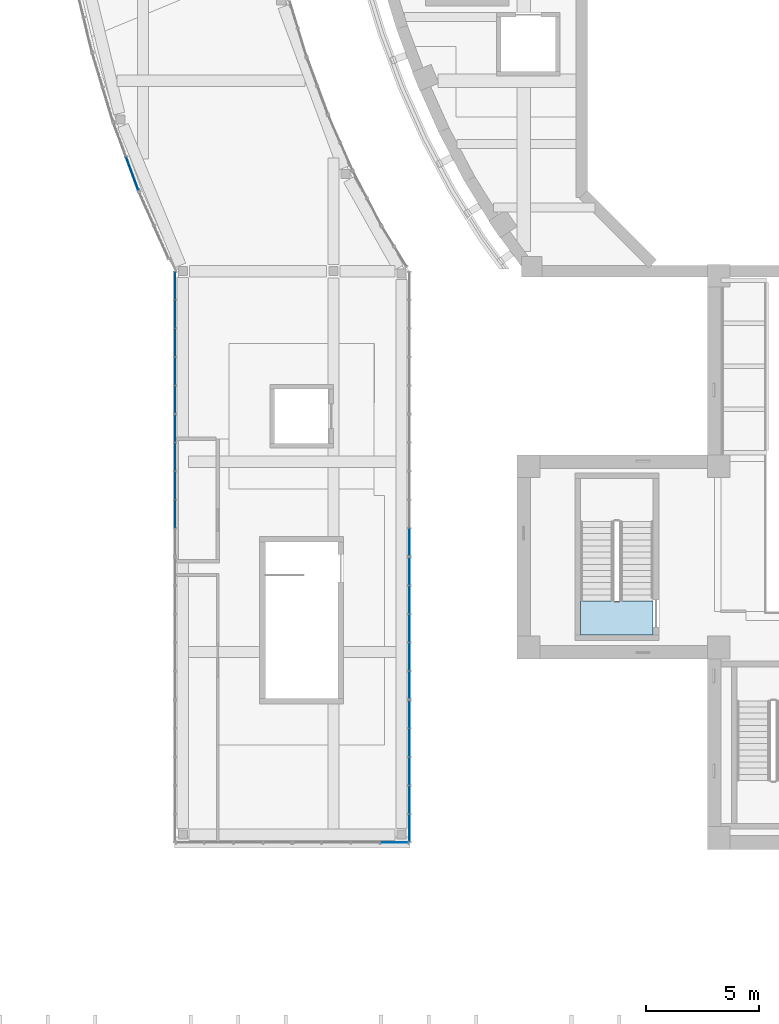
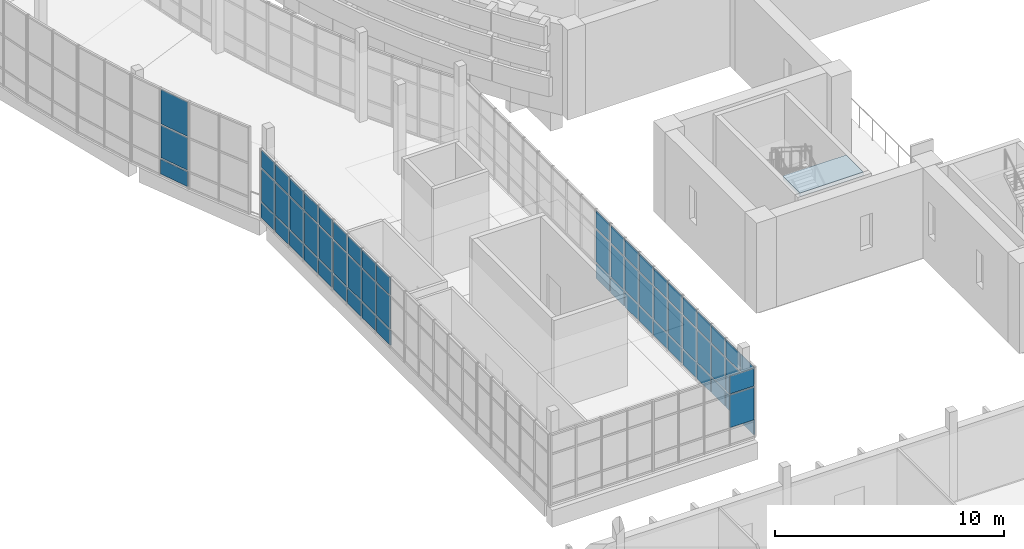
# One storey, part 36 of 103: 65 plates, 1 slab, 8 elements without a shape of their own.
"""IFC4 building model written with IfcOpenShell, lengths in metres."""

from ifc_helpers import new_model, si_unit, direction, frame, origin, origin_2d, place, context, subcontext, project, spatial, polyline, rectangle, outline, extrude, material, layer, layer_set, type_object, element, aggregate, save


model = new_model("IFC4")

# Units and contexts
model_context = context("Model", 3, precision=1e-05, world=origin(), true_north=direction((0.0, 1.0)))
body_context = subcontext(model_context, "Body", "Model", "MODEL_VIEW")
ifc_project = project(units=[si_unit("LENGTHUNIT", "METRE"), si_unit("AREAUNIT", "SQUARE_METRE"), si_unit("VOLUMEUNIT", "CUBIC_METRE"), si_unit("PLANEANGLEUNIT", "RADIAN"), si_unit("MASSUNIT", "GRAM", prefix="KILO")], contexts=[model_context])

# Site, building, storey
site_placement = place(None, origin())
site = spatial("IfcSite", under=ifc_project, at=site_placement, CompositionType="ELEMENT")
building_placement = place(site_placement, origin())
building = spatial("IfcBuilding", under=site, at=building_placement, Name="Larchfold Concert Hall", CompositionType="ELEMENT")
storey_placement = place(building_placement, frame((0.0, 0.0, 9.60009765625)))
storey = spatial("IfcBuildingStorey", under=building, at=storey_placement, Name="L02", CompositionType="ELEMENT", Elevation=9.60009765625)

# Curtain wall, plates
ifc_material_1 = material(Name="Anodised graphite aluminium curtain wall", Category="aluminium")
ifc_layer_1 = layer(ifc_material_1, 0.14990234375)
ifc_layer_set_1 = layer_set([ifc_layer_1], Name="Anodised graphite aluminium curtain wall")
curtain_wall_type = type_object("IfcCurtainWallType", Name="Curtain wall WG", PredefinedType="NOTDEFINED", material=ifc_layer_set_1)
curtain_wall_1_placement = place(storey_placement, origin())
curtain_wall_1 = element("IfcCurtainWall", 1, at=curtain_wall_1_placement, inside=storey, type_object=curtain_wall_type, Name="Curtain wall CW0280", PredefinedType="NOTDEFINED")
ifc_material_2 = material(Name="Insulated glazing unit, glass", Category="glass")
ifc_layer_2 = layer(ifc_material_2, 0.028076171875)
ifc_layer_set_2 = layer_set([ifc_layer_2], Name="Insulated glazing unit, glass")
plate_type_1 = type_object("IfcPlateType", Name="Glass panel 28", PredefinedType="CURTAIN_PANEL", material=ifc_layer_set_2)
plate_1_placement = place(storey_placement, frame((8.5244140625, 63.69775390625, 0.93994140625), z_axis=(0.0, 0.0, 1.0), x_axis=(0.346594033425, -0.938015232283, 0.0)))
plate_1 = element("IfcPlate", 2, at=plate_1_placement, type_object=plate_type_1, Name="CW0280 panel 2.2", PredefinedType="CURTAIN_PANEL", context=body_context, shape_type="SweptSolid", body=[
    extrude(rectangle(XDim=1.532958984375, YDim=0.028076171875, at=origin_2d()), origin(), (0.0, 0.0, 1.0), 1.719970703125),
])
plate_2_placement = place(storey_placement, frame((8.5244140625, 63.69775390625, 2.740234375), z_axis=(0.0, 0.0, 1.0), x_axis=(0.346594033425, -0.938015232283, 0.0)))
plate_2 = element("IfcPlate", 3, at=plate_2_placement, type_object=plate_type_1, Name="CW0280 panel 2.3", PredefinedType="CURTAIN_PANEL", context=body_context, shape_type="SweptSolid", body=[
    extrude(rectangle(XDim=1.532958984375, YDim=0.028076171875, at=origin_2d()), origin(), (0.0, 0.0, 1.0), 1.829833984375),
])

curtain_wall_2_placement = place(storey_placement, origin())
curtain_wall_2 = element("IfcCurtainWall", 4, at=curtain_wall_2_placement, inside=storey, type_object=curtain_wall_type, Name="Curtain wall CW0282", PredefinedType="NOTDEFINED")
plate_3_placement = place(storey_placement, frame((10.408447265625, 58.7548828125, 0.93994140625), z_axis=(0.0, 0.0, 1.0), x_axis=(0.0, -1.0, 0.0)))
plate_3 = element("IfcPlate", 5, at=plate_3_placement, type_object=plate_type_1, Name="CW0282 panel 1.2", PredefinedType="CURTAIN_PANEL", context=body_context, shape_type="SweptSolid", body=[
    extrude(rectangle(XDim=1.169921875, YDim=0.028076171875, at=origin_2d()), origin(), (0.0, 0.0, 1.0), 1.719970703125),
])
plate_4_placement = place(storey_placement, frame((10.408447265625, 58.7548828125, 2.740234375), z_axis=(0.0, 0.0, 1.0), x_axis=(0.0, -1.0, 0.0)))
plate_4 = element("IfcPlate", 6, at=plate_4_placement, type_object=plate_type_1, Name="CW0282 panel 1.3", PredefinedType="CURTAIN_PANEL", context=body_context, shape_type="SweptSolid", body=[
    extrude(rectangle(XDim=1.169921875, YDim=0.028076171875, at=origin_2d()), origin(), (0.0, 0.0, 1.0), 0.929931640625),
])
plate_5_placement = place(storey_placement, frame((10.408447265625, 57.510009765625, 0.93994140625), z_axis=(0.0, 0.0, 1.0), x_axis=(0.0, -1.0, 0.0)))
plate_5 = element("IfcPlate", 7, at=plate_5_placement, type_object=plate_type_1, Name="CW0282 panel 2.2", PredefinedType="CURTAIN_PANEL", context=body_context, shape_type="SweptSolid", body=[
    extrude(rectangle(XDim=1.199951171875, YDim=0.028076171875, at=origin_2d()), origin(), (0.0, 0.0, 1.0), 1.719970703125),
])
plate_6_placement = place(storey_placement, frame((10.408447265625, 57.510009765625, 2.740234375), z_axis=(0.0, 0.0, 1.0), x_axis=(0.0, -1.0, 0.0)))
plate_6 = element("IfcPlate", 8, at=plate_6_placement, type_object=plate_type_1, Name="CW0282 panel 2.3", PredefinedType="CURTAIN_PANEL", context=body_context, shape_type="SweptSolid", body=[
    extrude(rectangle(XDim=1.199951171875, YDim=0.028076171875, at=origin_2d()), origin(), (0.0, 0.0, 1.0), 0.929931640625),
])
plate_7_placement = place(storey_placement, frame((10.408447265625, 56.25, 0.93994140625), z_axis=(0.0, 0.0, 1.0), x_axis=(0.0, -1.0, 0.0)))
plate_7 = element("IfcPlate", 9, at=plate_7_placement, type_object=plate_type_1, Name="CW0282 panel 3.2", PredefinedType="CURTAIN_PANEL", context=body_context, shape_type="SweptSolid", body=[
    extrude(rectangle(XDim=1.199951171875, YDim=0.028076171875, at=origin_2d()), origin(), (0.0, 0.0, 1.0), 1.719970703125),
])
plate_8_placement = place(storey_placement, frame((10.408447265625, 56.25, 2.740234375), z_axis=(0.0, 0.0, 1.0), x_axis=(0.0, -1.0, 0.0)))
plate_8 = element("IfcPlate", 10, at=plate_8_placement, type_object=plate_type_1, Name="CW0282 panel 3.3", PredefinedType="CURTAIN_PANEL", context=body_context, shape_type="SweptSolid", body=[
    extrude(rectangle(XDim=1.199951171875, YDim=0.028076171875, at=origin_2d()), origin(), (0.0, 0.0, 1.0), 0.929931640625),
])
plate_9_placement = place(storey_placement, frame((10.408447265625, 54.98974609375, 0.93994140625), z_axis=(0.0, 0.0, 1.0), x_axis=(0.0, -1.0, 0.0)))
plate_9 = element("IfcPlate", 11, at=plate_9_placement, type_object=plate_type_1, Name="CW0282 panel 4.2", PredefinedType="CURTAIN_PANEL", context=body_context, shape_type="SweptSolid", body=[
    extrude(rectangle(XDim=1.199951171875, YDim=0.028076171875, at=origin_2d()), origin(), (0.0, 0.0, 1.0), 1.719970703125),
])
plate_10_placement = place(storey_placement, frame((10.408447265625, 54.98974609375, 2.740234375), z_axis=(0.0, 0.0, 1.0), x_axis=(0.0, -1.0, 0.0)))
plate_10 = element("IfcPlate", 12, at=plate_10_placement, type_object=plate_type_1, Name="CW0282 panel 4.3", PredefinedType="CURTAIN_PANEL", context=body_context, shape_type="SweptSolid", body=[
    extrude(rectangle(XDim=1.199951171875, YDim=0.028076171875, at=origin_2d()), origin(), (0.0, 0.0, 1.0), 0.929931640625),
])
plate_11_placement = place(storey_placement, frame((10.408447265625, 53.744873046875, 0.93994140625), z_axis=(0.0, 0.0, 1.0), x_axis=(0.0, -1.0, 0.0)))
plate_11 = element("IfcPlate", 13, at=plate_11_placement, type_object=plate_type_1, Name="CW0282 panel 5.2", PredefinedType="CURTAIN_PANEL", context=body_context, shape_type="SweptSolid", body=[
    extrude(rectangle(XDim=1.169921875, YDim=0.028076171875, at=origin_2d()), origin(), (0.0, 0.0, 1.0), 1.719970703125),
])
plate_12_placement = place(storey_placement, frame((10.408447265625, 53.744873046875, 2.740234375), z_axis=(0.0, 0.0, 1.0), x_axis=(0.0, -1.0, 0.0)))
plate_12 = element("IfcPlate", 14, at=plate_12_placement, type_object=plate_type_1, Name="CW0282 panel 5.3", PredefinedType="CURTAIN_PANEL", context=body_context, shape_type="SweptSolid", body=[
    extrude(rectangle(XDim=1.169921875, YDim=0.028076171875, at=origin_2d()), origin(), (0.0, 0.0, 1.0), 0.929931640625),
])

curtain_wall_3_placement = place(storey_placement, origin())
curtain_wall_3 = element("IfcCurtainWall", 15, at=curtain_wall_3_placement, inside=storey, type_object=curtain_wall_type, Name="Curtain wall CW0283", PredefinedType="NOTDEFINED")
plate_13_placement = place(storey_placement, frame((10.408447265625, 52.454833984375, 0.93994140625), z_axis=(0.0, 0.0, 1.0), x_axis=(0.0, -1.0, 0.0)))
plate_13 = element("IfcPlate", 16, at=plate_13_placement, type_object=plate_type_1, Name="CW0283 panel 1.2", PredefinedType="CURTAIN_PANEL", context=body_context, shape_type="SweptSolid", body=[
    extrude(rectangle(XDim=1.169921875, YDim=0.028076171875, at=origin_2d()), origin(), (0.0, 0.0, 1.0), 1.719970703125),
])
plate_14_placement = place(storey_placement, frame((10.408447265625, 52.454833984375, 2.740234375), z_axis=(0.0, 0.0, 1.0), x_axis=(0.0, -1.0, 0.0)))
plate_14 = element("IfcPlate", 17, at=plate_14_placement, type_object=plate_type_1, Name="CW0283 panel 1.3", PredefinedType="CURTAIN_PANEL", context=body_context, shape_type="SweptSolid", body=[
    extrude(rectangle(XDim=1.169921875, YDim=0.028076171875, at=origin_2d()), origin(), (0.0, 0.0, 1.0), 0.929931640625),
])
plate_15_placement = place(storey_placement, frame((10.408447265625, 51.2099609375, 0.93994140625), z_axis=(0.0, 0.0, 1.0), x_axis=(0.0, -1.0, 0.0)))
plate_15 = element("IfcPlate", 18, at=plate_15_placement, type_object=plate_type_1, Name="CW0283 panel 2.2", PredefinedType="CURTAIN_PANEL", context=body_context, shape_type="SweptSolid", body=[
    extrude(rectangle(XDim=1.199951171875, YDim=0.028076171875, at=origin_2d()), origin(), (0.0, 0.0, 1.0), 1.719970703125),
])
plate_16_placement = place(storey_placement, frame((10.408447265625, 51.2099609375, 2.740234375), z_axis=(0.0, 0.0, 1.0), x_axis=(0.0, -1.0, 0.0)))
plate_16 = element("IfcPlate", 19, at=plate_16_placement, type_object=plate_type_1, Name="CW0283 panel 2.3", PredefinedType="CURTAIN_PANEL", context=body_context, shape_type="SweptSolid", body=[
    extrude(rectangle(XDim=1.199951171875, YDim=0.028076171875, at=origin_2d()), origin(), (0.0, 0.0, 1.0), 0.929931640625),
])
plate_17_placement = place(storey_placement, frame((10.408447265625, 49.949951171875, 0.93994140625), z_axis=(0.0, 0.0, 1.0), x_axis=(0.0, -1.0, 0.0)))
plate_17 = element("IfcPlate", 20, at=plate_17_placement, type_object=plate_type_1, Name="CW0283 panel 3.2", PredefinedType="CURTAIN_PANEL", context=body_context, shape_type="SweptSolid", body=[
    extrude(rectangle(XDim=1.199951171875, YDim=0.028076171875, at=origin_2d()), origin(), (0.0, 0.0, 1.0), 1.719970703125),
])
plate_18_placement = place(storey_placement, frame((10.408447265625, 49.949951171875, 2.740234375), z_axis=(0.0, 0.0, 1.0), x_axis=(0.0, -1.0, 0.0)))
plate_18 = element("IfcPlate", 21, at=plate_18_placement, type_object=plate_type_1, Name="CW0283 panel 3.3", PredefinedType="CURTAIN_PANEL", context=body_context, shape_type="SweptSolid", body=[
    extrude(rectangle(XDim=1.199951171875, YDim=0.028076171875, at=origin_2d()), origin(), (0.0, 0.0, 1.0), 0.929931640625),
])
plate_19_placement = place(storey_placement, frame((10.408447265625, 48.68994140625, 0.93994140625), z_axis=(0.0, 0.0, 1.0), x_axis=(0.0, -1.0, 0.0)))
plate_19 = element("IfcPlate", 22, at=plate_19_placement, type_object=plate_type_1, Name="CW0283 panel 4.2", PredefinedType="CURTAIN_PANEL", context=body_context, shape_type="SweptSolid", body=[
    extrude(rectangle(XDim=1.199951171875, YDim=0.028076171875, at=origin_2d()), origin(), (0.0, 0.0, 1.0), 1.719970703125),
])
plate_20_placement = place(storey_placement, frame((10.408447265625, 48.68994140625, 2.740234375), z_axis=(0.0, 0.0, 1.0), x_axis=(0.0, -1.0, 0.0)))
plate_20 = element("IfcPlate", 23, at=plate_20_placement, type_object=plate_type_1, Name="CW0283 panel 4.3", PredefinedType="CURTAIN_PANEL", context=body_context, shape_type="SweptSolid", body=[
    extrude(rectangle(XDim=1.199951171875, YDim=0.028076171875, at=origin_2d()), origin(), (0.0, 0.0, 1.0), 0.929931640625),
])

curtain_wall_4_placement = place(storey_placement, origin())
curtain_wall_4 = element("IfcCurtainWall", 24, at=curtain_wall_4_placement, inside=storey, type_object=curtain_wall_type, Name="Curtain wall CW0287", PredefinedType="NOTDEFINED")
plate_21_placement = place(storey_placement, frame((20.08740234375, 34.199951171875, 0.93994140625), z_axis=(0.0, 0.0, 1.0), x_axis=(1.0, 0.0, 0.0)))
plate_21 = element("IfcPlate", 25, at=plate_21_placement, type_object=plate_type_1, Name="CW0287 panel 4.2", PredefinedType="CURTAIN_PANEL", context=body_context, shape_type="SweptSolid", body=[
    extrude(rectangle(XDim=1.20263671875, YDim=0.028076171875, at=origin_2d()), origin(), (0.0, 0.0, 1.0), 1.719970703125),
])
plate_22_placement = place(storey_placement, frame((20.08740234375, 34.199951171875, 2.740234375), z_axis=(0.0, 0.0, 1.0), x_axis=(1.0, 0.0, 0.0)))
plate_22 = element("IfcPlate", 26, at=plate_22_placement, type_object=plate_type_1, Name="CW0287 panel 4.3", PredefinedType="CURTAIN_PANEL", context=body_context, shape_type="SweptSolid", body=[
    extrude(rectangle(XDim=1.20263671875, YDim=0.028076171875, at=origin_2d()), origin(), (0.0, 0.0, 1.0), 0.929931640625),
])
aggregate(curtain_wall_4, [plate_21, plate_22])

curtain_wall_5_placement = place(storey_placement, origin())
curtain_wall_5 = element("IfcCurtainWall", 27, at=curtain_wall_5_placement, inside=storey, type_object=curtain_wall_type, Name="Curtain wall CW0288", PredefinedType="NOTDEFINED")
plate_23_placement = place(storey_placement, frame((20.748779296875, 34.844970703125, 0.93994140625), z_axis=(0.0, 0.0, 1.0), x_axis=(0.0, 1.0, 0.0)))
plate_23 = element("IfcPlate", 28, at=plate_23_placement, type_object=plate_type_1, Name="CW0288 panel 1.2", PredefinedType="CURTAIN_PANEL", context=body_context, shape_type="SweptSolid", body=[
    extrude(rectangle(XDim=1.169921875, YDim=0.028076171875, at=origin_2d()), origin(), (0.0, 0.0, 1.0), 1.719970703125),
])
plate_24_placement = place(storey_placement, frame((20.748779296875, 34.844970703125, 2.740234375), z_axis=(0.0, 0.0, 1.0), x_axis=(0.0, 1.0, 0.0)))
plate_24 = element("IfcPlate", 29, at=plate_24_placement, type_object=plate_type_1, Name="CW0288 panel 1.3", PredefinedType="CURTAIN_PANEL", context=body_context, shape_type="SweptSolid", body=[
    extrude(rectangle(XDim=1.169921875, YDim=0.028076171875, at=origin_2d()), origin(), (0.0, 0.0, 1.0), 0.929931640625),
])
plate_25_placement = place(storey_placement, frame((20.748779296875, 36.08984375, 0.93994140625), z_axis=(0.0, 0.0, 1.0), x_axis=(0.0, 1.0, 0.0)))
plate_25 = element("IfcPlate", 30, at=plate_25_placement, type_object=plate_type_1, Name="CW0288 panel 2.2", PredefinedType="CURTAIN_PANEL", context=body_context, shape_type="SweptSolid", body=[
    extrude(rectangle(XDim=1.199951171875, YDim=0.028076171875, at=origin_2d()), origin(), (0.0, 0.0, 1.0), 1.719970703125),
])
plate_26_placement = place(storey_placement, frame((20.748779296875, 36.08984375, 2.740234375), z_axis=(0.0, 0.0, 1.0), x_axis=(0.0, 1.0, 0.0)))
plate_26 = element("IfcPlate", 31, at=plate_26_placement, type_object=plate_type_1, Name="CW0288 panel 2.3", PredefinedType="CURTAIN_PANEL", context=body_context, shape_type="SweptSolid", body=[
    extrude(rectangle(XDim=1.199951171875, YDim=0.028076171875, at=origin_2d()), origin(), (0.0, 0.0, 1.0), 0.929931640625),
])
plate_27_placement = place(storey_placement, frame((20.748779296875, 37.35009765625, 0.93994140625), z_axis=(0.0, 0.0, 1.0), x_axis=(0.0, 1.0, 0.0)))
plate_27 = element("IfcPlate", 32, at=plate_27_placement, type_object=plate_type_1, Name="CW0288 panel 3.2", PredefinedType="CURTAIN_PANEL", context=body_context, shape_type="SweptSolid", body=[
    extrude(rectangle(XDim=1.199951171875, YDim=0.028076171875, at=origin_2d()), origin(), (0.0, 0.0, 1.0), 1.719970703125),
])
plate_28_placement = place(storey_placement, frame((20.748779296875, 37.35009765625, 2.740234375), z_axis=(0.0, 0.0, 1.0), x_axis=(0.0, 1.0, 0.0)))
plate_28 = element("IfcPlate", 33, at=plate_28_placement, type_object=plate_type_1, Name="CW0288 panel 3.3", PredefinedType="CURTAIN_PANEL", context=body_context, shape_type="SweptSolid", body=[
    extrude(rectangle(XDim=1.199951171875, YDim=0.028076171875, at=origin_2d()), origin(), (0.0, 0.0, 1.0), 0.929931640625),
])
plate_29_placement = place(storey_placement, frame((20.748779296875, 38.610107421875, 0.93994140625), z_axis=(0.0, 0.0, 1.0), x_axis=(0.0, 1.0, 0.0)))
plate_29 = element("IfcPlate", 34, at=plate_29_placement, type_object=plate_type_1, Name="CW0288 panel 4.2", PredefinedType="CURTAIN_PANEL", context=body_context, shape_type="SweptSolid", body=[
    extrude(rectangle(XDim=1.199951171875, YDim=0.028076171875, at=origin_2d()), origin(), (0.0, 0.0, 1.0), 1.719970703125),
])
plate_30_placement = place(storey_placement, frame((20.748779296875, 38.610107421875, 2.740234375), z_axis=(0.0, 0.0, 1.0), x_axis=(0.0, 1.0, 0.0)))
plate_30 = element("IfcPlate", 35, at=plate_30_placement, type_object=plate_type_1, Name="CW0288 panel 4.3", PredefinedType="CURTAIN_PANEL", context=body_context, shape_type="SweptSolid", body=[
    extrude(rectangle(XDim=1.199951171875, YDim=0.028076171875, at=origin_2d()), origin(), (0.0, 0.0, 1.0), 0.929931640625),
])
plate_31_placement = place(storey_placement, frame((20.748779296875, 39.85498046875, 0.93994140625), z_axis=(0.0, 0.0, 1.0), x_axis=(0.0, 1.0, 0.0)))
plate_31 = element("IfcPlate", 36, at=plate_31_placement, type_object=plate_type_1, Name="CW0288 panel 5.2", PredefinedType="CURTAIN_PANEL", context=body_context, shape_type="SweptSolid", body=[
    extrude(rectangle(XDim=1.169921875, YDim=0.028076171875, at=origin_2d()), origin(), (0.0, 0.0, 1.0), 1.719970703125),
])
plate_32_placement = place(storey_placement, frame((20.748779296875, 39.85498046875, 2.740234375), z_axis=(0.0, 0.0, 1.0), x_axis=(0.0, 1.0, 0.0)))
plate_32 = element("IfcPlate", 37, at=plate_32_placement, type_object=plate_type_1, Name="CW0288 panel 5.3", PredefinedType="CURTAIN_PANEL", context=body_context, shape_type="SweptSolid", body=[
    extrude(rectangle(XDim=1.169921875, YDim=0.028076171875, at=origin_2d()), origin(), (0.0, 0.0, 1.0), 0.929931640625),
])

curtain_wall_6_placement = place(storey_placement, origin())
curtain_wall_6 = element("IfcCurtainWall", 38, at=curtain_wall_6_placement, inside=storey, type_object=curtain_wall_type, Name="Curtain wall CW0289", PredefinedType="NOTDEFINED")
plate_33_placement = place(storey_placement, frame((20.748779296875, 41.14501953125, 0.93994140625), z_axis=(0.0, 0.0, 1.0), x_axis=(0.0, 1.0, 0.0)))
plate_33 = element("IfcPlate", 39, at=plate_33_placement, type_object=plate_type_1, Name="CW0289 panel 1.2", PredefinedType="CURTAIN_PANEL", context=body_context, shape_type="SweptSolid", body=[
    extrude(rectangle(XDim=1.169921875, YDim=0.028076171875, at=origin_2d()), origin(), (0.0, 0.0, 1.0), 1.719970703125),
])
plate_34_placement = place(storey_placement, frame((20.748779296875, 41.14501953125, 2.740234375), z_axis=(0.0, 0.0, 1.0), x_axis=(0.0, 1.0, 0.0)))
plate_34 = element("IfcPlate", 40, at=plate_34_placement, type_object=plate_type_1, Name="CW0289 panel 1.3", PredefinedType="CURTAIN_PANEL", context=body_context, shape_type="SweptSolid", body=[
    extrude(rectangle(XDim=1.169921875, YDim=0.028076171875, at=origin_2d()), origin(), (0.0, 0.0, 1.0), 0.929931640625),
])
plate_35_placement = place(storey_placement, frame((20.748779296875, 42.389892578125, 0.93994140625), z_axis=(0.0, 0.0, 1.0), x_axis=(0.0, 1.0, 0.0)))
plate_35 = element("IfcPlate", 41, at=plate_35_placement, type_object=plate_type_1, Name="CW0289 panel 2.2", PredefinedType="CURTAIN_PANEL", context=body_context, shape_type="SweptSolid", body=[
    extrude(rectangle(XDim=1.199951171875, YDim=0.028076171875, at=origin_2d()), origin(), (0.0, 0.0, 1.0), 1.719970703125),
])
plate_36_placement = place(storey_placement, frame((20.748779296875, 42.389892578125, 2.740234375), z_axis=(0.0, 0.0, 1.0), x_axis=(0.0, 1.0, 0.0)))
plate_36 = element("IfcPlate", 42, at=plate_36_placement, type_object=plate_type_1, Name="CW0289 panel 2.3", PredefinedType="CURTAIN_PANEL", context=body_context, shape_type="SweptSolid", body=[
    extrude(rectangle(XDim=1.199951171875, YDim=0.028076171875, at=origin_2d()), origin(), (0.0, 0.0, 1.0), 0.929931640625),
])
plate_37_placement = place(storey_placement, frame((20.748779296875, 43.64990234375, 0.93994140625), z_axis=(0.0, 0.0, 1.0), x_axis=(0.0, 1.0, 0.0)))
plate_37 = element("IfcPlate", 43, at=plate_37_placement, type_object=plate_type_1, Name="CW0289 panel 3.2", PredefinedType="CURTAIN_PANEL", context=body_context, shape_type="SweptSolid", body=[
    extrude(rectangle(XDim=1.199951171875, YDim=0.028076171875, at=origin_2d()), origin(), (0.0, 0.0, 1.0), 1.719970703125),
])
plate_38_placement = place(storey_placement, frame((20.748779296875, 43.64990234375, 2.740234375), z_axis=(0.0, 0.0, 1.0), x_axis=(0.0, 1.0, 0.0)))
plate_38 = element("IfcPlate", 44, at=plate_38_placement, type_object=plate_type_1, Name="CW0289 panel 3.3", PredefinedType="CURTAIN_PANEL", context=body_context, shape_type="SweptSolid", body=[
    extrude(rectangle(XDim=1.199951171875, YDim=0.028076171875, at=origin_2d()), origin(), (0.0, 0.0, 1.0), 0.929931640625),
])
plate_39_placement = place(storey_placement, frame((20.748779296875, 44.909912109375, 0.93994140625), z_axis=(0.0, 0.0, 1.0), x_axis=(0.0, 1.0, 0.0)))
plate_39 = element("IfcPlate", 45, at=plate_39_placement, type_object=plate_type_1, Name="CW0289 panel 4.2", PredefinedType="CURTAIN_PANEL", context=body_context, shape_type="SweptSolid", body=[
    extrude(rectangle(XDim=1.199951171875, YDim=0.028076171875, at=origin_2d()), origin(), (0.0, 0.0, 1.0), 1.719970703125),
])
plate_40_placement = place(storey_placement, frame((20.748779296875, 44.909912109375, 2.740234375), z_axis=(0.0, 0.0, 1.0), x_axis=(0.0, 1.0, 0.0)))
plate_40 = element("IfcPlate", 46, at=plate_40_placement, type_object=plate_type_1, Name="CW0289 panel 4.3", PredefinedType="CURTAIN_PANEL", context=body_context, shape_type="SweptSolid", body=[
    extrude(rectangle(XDim=1.199951171875, YDim=0.028076171875, at=origin_2d()), origin(), (0.0, 0.0, 1.0), 0.929931640625),
])
plate_41_placement = place(storey_placement, frame((20.748779296875, 46.15478515625, 0.93994140625), z_axis=(0.0, 0.0, 1.0), x_axis=(0.0, 1.0, 0.0)))
plate_41 = element("IfcPlate", 47, at=plate_41_placement, type_object=plate_type_1, Name="CW0289 panel 5.2", PredefinedType="CURTAIN_PANEL", context=body_context, shape_type="SweptSolid", body=[
    extrude(rectangle(XDim=1.169921875, YDim=0.028076171875, at=origin_2d()), origin(), (0.0, 0.0, 1.0), 1.719970703125),
])
plate_42_placement = place(storey_placement, frame((20.748779296875, 46.15478515625, 2.740234375), z_axis=(0.0, 0.0, 1.0), x_axis=(0.0, 1.0, 0.0)))
plate_42 = element("IfcPlate", 48, at=plate_42_placement, type_object=plate_type_1, Name="CW0289 panel 5.3", PredefinedType="CURTAIN_PANEL", context=body_context, shape_type="SweptSolid", body=[
    extrude(rectangle(XDim=1.169921875, YDim=0.028076171875, at=origin_2d()), origin(), (0.0, 0.0, 1.0), 0.929931640625),
])

curtain_wall_7_placement = place(storey_placement, origin())
curtain_wall_7 = element("IfcCurtainWall", 49, at=curtain_wall_7_placement, inside=storey, type_object=curtain_wall_type, Name="Curtain wall CW0290", PredefinedType="NOTDEFINED")
plate_43_placement = place(storey_placement, frame((20.748779296875, 47.44482421875, 0.93994140625), z_axis=(0.0, 0.0, 1.0), x_axis=(0.0, 1.0, 0.0)))
plate_43 = element("IfcPlate", 50, at=plate_43_placement, type_object=plate_type_1, Name="CW0290 panel 1.2", PredefinedType="CURTAIN_PANEL", context=body_context, shape_type="SweptSolid", body=[
    extrude(rectangle(XDim=1.169921875, YDim=0.028076171875, at=origin_2d()), origin(), (0.0, 0.0, 1.0), 1.719970703125),
])
plate_44_placement = place(storey_placement, frame((20.748779296875, 47.44482421875, 2.740234375), z_axis=(0.0, 0.0, 1.0), x_axis=(0.0, 1.0, 0.0)))
plate_44 = element("IfcPlate", 51, at=plate_44_placement, type_object=plate_type_1, Name="CW0290 panel 1.3", PredefinedType="CURTAIN_PANEL", context=body_context, shape_type="SweptSolid", body=[
    extrude(rectangle(XDim=1.169921875, YDim=0.028076171875, at=origin_2d()), origin(), (0.0, 0.0, 1.0), 0.929931640625),
])

# Plate
ifc_material_3 = material(Name="White insulated panel")
ifc_layer_3 = layer(ifc_material_3, 0.06005859375)
ifc_layer_set_3 = layer_set([ifc_layer_3], Name="White insulated panel")
plate_type_2 = type_object("IfcPlateType", Name="Insulated spandrel panel 60", PredefinedType="CURTAIN_PANEL", material=ifc_layer_set_3)
plate_45_placement = place(storey_placement, frame((8.5244140625, 63.69775390625, 0.080078125), z_axis=(0.0, 0.0, 1.0), x_axis=(0.346594033425, -0.938015232283, 0.0)))
plate_45 = element("IfcPlate", 52, at=plate_45_placement, type_object=plate_type_2, Name="CW0280 panel 2.1", PredefinedType="CURTAIN_PANEL", context=body_context, shape_type="SweptSolid", body=[
    extrude(rectangle(XDim=1.532958984375, YDim=0.06005859375, at=origin_2d()), origin(), (0.0, 0.0, 1.0), 0.77978515625),
])

aggregate(curtain_wall_1, [plate_45, plate_1, plate_2])

plate_46_placement = place(storey_placement, frame((10.408447265625, 58.7548828125, 0.080078125), z_axis=(0.0, 0.0, 1.0), x_axis=(0.0, -1.0, 0.0)))
plate_46 = element("IfcPlate", 53, at=plate_46_placement, type_object=plate_type_2, Name="CW0282 panel 1.1", PredefinedType="CURTAIN_PANEL", context=body_context, shape_type="SweptSolid", body=[
    extrude(rectangle(XDim=1.169921875, YDim=0.06005859375, at=origin_2d()), origin(), (0.0, 0.0, 1.0), 0.77978515625),
])

plate_47_placement = place(storey_placement, frame((10.408447265625, 57.510009765625, 0.080078125), z_axis=(0.0, 0.0, 1.0), x_axis=(0.0, -1.0, 0.0)))
plate_47 = element("IfcPlate", 54, at=plate_47_placement, type_object=plate_type_2, Name="CW0282 panel 2.1", PredefinedType="CURTAIN_PANEL", context=body_context, shape_type="SweptSolid", body=[
    extrude(rectangle(XDim=1.199951171875, YDim=0.06005859375, at=origin_2d()), origin(), (0.0, 0.0, 1.0), 0.77978515625),
])

plate_48_placement = place(storey_placement, frame((10.408447265625, 56.25, 0.080078125), z_axis=(0.0, 0.0, 1.0), x_axis=(0.0, -1.0, 0.0)))
plate_48 = element("IfcPlate", 55, at=plate_48_placement, type_object=plate_type_2, Name="CW0282 panel 3.1", PredefinedType="CURTAIN_PANEL", context=body_context, shape_type="SweptSolid", body=[
    extrude(rectangle(XDim=1.199951171875, YDim=0.06005859375, at=origin_2d()), origin(), (0.0, 0.0, 1.0), 0.77978515625),
])

plate_49_placement = place(storey_placement, frame((10.408447265625, 54.98974609375, 0.080078125), z_axis=(0.0, 0.0, 1.0), x_axis=(0.0, -1.0, 0.0)))
plate_49 = element("IfcPlate", 56, at=plate_49_placement, type_object=plate_type_2, Name="CW0282 panel 4.1", PredefinedType="CURTAIN_PANEL", context=body_context, shape_type="SweptSolid", body=[
    extrude(rectangle(XDim=1.199951171875, YDim=0.06005859375, at=origin_2d()), origin(), (0.0, 0.0, 1.0), 0.77978515625),
])

plate_50_placement = place(storey_placement, frame((10.408447265625, 53.744873046875, 0.080078125), z_axis=(0.0, 0.0, 1.0), x_axis=(0.0, -1.0, 0.0)))
plate_50 = element("IfcPlate", 57, at=plate_50_placement, type_object=plate_type_2, Name="CW0282 panel 5.1", PredefinedType="CURTAIN_PANEL", context=body_context, shape_type="SweptSolid", body=[
    extrude(rectangle(XDim=1.169921875, YDim=0.06005859375, at=origin_2d()), origin(), (0.0, 0.0, 1.0), 0.77978515625),
])

aggregate(curtain_wall_2, [plate_46, plate_3, plate_4, plate_47, plate_5, plate_6, plate_48, plate_7, plate_8, plate_49, plate_9, plate_10, plate_50, plate_11, plate_12])

plate_51_placement = place(storey_placement, frame((10.408447265625, 52.454833984375, 0.080078125), z_axis=(0.0, 0.0, 1.0), x_axis=(0.0, -1.0, 0.0)))
plate_51 = element("IfcPlate", 58, at=plate_51_placement, type_object=plate_type_2, Name="CW0283 panel 1.1", PredefinedType="CURTAIN_PANEL", context=body_context, shape_type="SweptSolid", body=[
    extrude(rectangle(XDim=1.169921875, YDim=0.06005859375, at=origin_2d()), origin(), (0.0, 0.0, 1.0), 0.77978515625),
])

plate_52_placement = place(storey_placement, frame((10.408447265625, 51.2099609375, 0.080078125), z_axis=(0.0, 0.0, 1.0), x_axis=(0.0, -1.0, 0.0)))
plate_52 = element("IfcPlate", 59, at=plate_52_placement, type_object=plate_type_2, Name="CW0283 panel 2.1", PredefinedType="CURTAIN_PANEL", context=body_context, shape_type="SweptSolid", body=[
    extrude(rectangle(XDim=1.199951171875, YDim=0.06005859375, at=origin_2d()), origin(), (0.0, 0.0, 1.0), 0.77978515625),
])

plate_53_placement = place(storey_placement, frame((10.408447265625, 49.949951171875, 0.080078125), z_axis=(0.0, 0.0, 1.0), x_axis=(0.0, -1.0, 0.0)))
plate_53 = element("IfcPlate", 60, at=plate_53_placement, type_object=plate_type_2, Name="CW0283 panel 3.1", PredefinedType="CURTAIN_PANEL", context=body_context, shape_type="SweptSolid", body=[
    extrude(rectangle(XDim=1.199951171875, YDim=0.06005859375, at=origin_2d()), origin(), (0.0, 0.0, 1.0), 0.77978515625),
])

plate_54_placement = place(storey_placement, frame((10.408447265625, 48.68994140625, 0.080078125), z_axis=(0.0, 0.0, 1.0), x_axis=(0.0, -1.0, 0.0)))
plate_54 = element("IfcPlate", 61, at=plate_54_placement, type_object=plate_type_2, Name="CW0283 panel 4.1", PredefinedType="CURTAIN_PANEL", context=body_context, shape_type="SweptSolid", body=[
    extrude(rectangle(XDim=1.199951171875, YDim=0.06005859375, at=origin_2d()), origin(), (0.0, 0.0, 1.0), 0.77978515625),
])

aggregate(curtain_wall_3, [plate_51, plate_13, plate_14, plate_52, plate_15, plate_16, plate_53, plate_17, plate_18, plate_54, plate_19, plate_20])

plate_55_placement = place(storey_placement, frame((20.748779296875, 34.844970703125, 0.080078125), z_axis=(0.0, 0.0, 1.0), x_axis=(0.0, 1.0, 0.0)))
plate_55 = element("IfcPlate", 62, at=plate_55_placement, type_object=plate_type_2, Name="CW0288 panel 1.1", PredefinedType="CURTAIN_PANEL", context=body_context, shape_type="SweptSolid", body=[
    extrude(rectangle(XDim=1.169921875, YDim=0.06005859375, at=origin_2d()), origin(), (0.0, 0.0, 1.0), 0.77978515625),
])

plate_56_placement = place(storey_placement, frame((20.748779296875, 36.08984375, 0.080078125), z_axis=(0.0, 0.0, 1.0), x_axis=(0.0, 1.0, 0.0)))
plate_56 = element("IfcPlate", 63, at=plate_56_placement, type_object=plate_type_2, Name="CW0288 panel 2.1", PredefinedType="CURTAIN_PANEL", context=body_context, shape_type="SweptSolid", body=[
    extrude(rectangle(XDim=1.199951171875, YDim=0.06005859375, at=origin_2d()), origin(), (0.0, 0.0, 1.0), 0.77978515625),
])

plate_57_placement = place(storey_placement, frame((20.748779296875, 37.35009765625, 0.080078125), z_axis=(0.0, 0.0, 1.0), x_axis=(0.0, 1.0, 0.0)))
plate_57 = element("IfcPlate", 64, at=plate_57_placement, type_object=plate_type_2, Name="CW0288 panel 3.1", PredefinedType="CURTAIN_PANEL", context=body_context, shape_type="SweptSolid", body=[
    extrude(rectangle(XDim=1.199951171875, YDim=0.06005859375, at=origin_2d()), origin(), (0.0, 0.0, 1.0), 0.77978515625),
])

plate_58_placement = place(storey_placement, frame((20.748779296875, 38.610107421875, 0.080078125), z_axis=(0.0, 0.0, 1.0), x_axis=(0.0, 1.0, 0.0)))
plate_58 = element("IfcPlate", 65, at=plate_58_placement, type_object=plate_type_2, Name="CW0288 panel 4.1", PredefinedType="CURTAIN_PANEL", context=body_context, shape_type="SweptSolid", body=[
    extrude(rectangle(XDim=1.199951171875, YDim=0.06005859375, at=origin_2d()), origin(), (0.0, 0.0, 1.0), 0.77978515625),
])

plate_59_placement = place(storey_placement, frame((20.748779296875, 39.85498046875, 0.080078125), z_axis=(0.0, 0.0, 1.0), x_axis=(0.0, 1.0, 0.0)))
plate_59 = element("IfcPlate", 66, at=plate_59_placement, type_object=plate_type_2, Name="CW0288 panel 5.1", PredefinedType="CURTAIN_PANEL", context=body_context, shape_type="SweptSolid", body=[
    extrude(rectangle(XDim=1.169921875, YDim=0.06005859375, at=origin_2d()), origin(), (0.0, 0.0, 1.0), 0.77978515625),
])

aggregate(curtain_wall_5, [plate_55, plate_23, plate_24, plate_56, plate_25, plate_26, plate_57, plate_27, plate_28, plate_58, plate_29, plate_30, plate_59, plate_31, plate_32])

plate_60_placement = place(storey_placement, frame((20.748779296875, 41.14501953125, 0.080078125), z_axis=(0.0, 0.0, 1.0), x_axis=(0.0, 1.0, 0.0)))
plate_60 = element("IfcPlate", 67, at=plate_60_placement, type_object=plate_type_2, Name="CW0289 panel 1.1", PredefinedType="CURTAIN_PANEL", context=body_context, shape_type="SweptSolid", body=[
    extrude(rectangle(XDim=1.169921875, YDim=0.06005859375, at=origin_2d()), origin(), (0.0, 0.0, 1.0), 0.77978515625),
])

plate_61_placement = place(storey_placement, frame((20.748779296875, 42.389892578125, 0.080078125), z_axis=(0.0, 0.0, 1.0), x_axis=(0.0, 1.0, 0.0)))
plate_61 = element("IfcPlate", 68, at=plate_61_placement, type_object=plate_type_2, Name="CW0289 panel 2.1", PredefinedType="CURTAIN_PANEL", context=body_context, shape_type="SweptSolid", body=[
    extrude(rectangle(XDim=1.199951171875, YDim=0.06005859375, at=origin_2d()), origin(), (0.0, 0.0, 1.0), 0.77978515625),
])

plate_62_placement = place(storey_placement, frame((20.748779296875, 43.64990234375, 0.080078125), z_axis=(0.0, 0.0, 1.0), x_axis=(0.0, 1.0, 0.0)))
plate_62 = element("IfcPlate", 69, at=plate_62_placement, type_object=plate_type_2, Name="CW0289 panel 3.1", PredefinedType="CURTAIN_PANEL", context=body_context, shape_type="SweptSolid", body=[
    extrude(rectangle(XDim=1.199951171875, YDim=0.06005859375, at=origin_2d()), origin(), (0.0, 0.0, 1.0), 0.77978515625),
])

plate_63_placement = place(storey_placement, frame((20.748779296875, 44.909912109375, 0.080078125), z_axis=(0.0, 0.0, 1.0), x_axis=(0.0, 1.0, 0.0)))
plate_63 = element("IfcPlate", 70, at=plate_63_placement, type_object=plate_type_2, Name="CW0289 panel 4.1", PredefinedType="CURTAIN_PANEL", context=body_context, shape_type="SweptSolid", body=[
    extrude(rectangle(XDim=1.199951171875, YDim=0.06005859375, at=origin_2d()), origin(), (0.0, 0.0, 1.0), 0.77978515625),
])

plate_64_placement = place(storey_placement, frame((20.748779296875, 46.15478515625, 0.080078125), z_axis=(0.0, 0.0, 1.0), x_axis=(0.0, 1.0, 0.0)))
plate_64 = element("IfcPlate", 71, at=plate_64_placement, type_object=plate_type_2, Name="CW0289 panel 5.1", PredefinedType="CURTAIN_PANEL", context=body_context, shape_type="SweptSolid", body=[
    extrude(rectangle(XDim=1.169921875, YDim=0.06005859375, at=origin_2d()), origin(), (0.0, 0.0, 1.0), 0.77978515625),
])

aggregate(curtain_wall_6, [plate_60, plate_33, plate_34, plate_61, plate_35, plate_36, plate_62, plate_37, plate_38, plate_63, plate_39, plate_40, plate_64, plate_41, plate_42])

plate_65_placement = place(storey_placement, frame((20.748779296875, 47.44482421875, 0.080078125), z_axis=(0.0, 0.0, 1.0), x_axis=(0.0, 1.0, 0.0)))
plate_65 = element("IfcPlate", 72, at=plate_65_placement, type_object=plate_type_2, Name="CW0290 panel 1.1", PredefinedType="CURTAIN_PANEL", context=body_context, shape_type="SweptSolid", body=[
    extrude(rectangle(XDim=1.169921875, YDim=0.06005859375, at=origin_2d()), origin(), (0.0, 0.0, 1.0), 0.77978515625),
])

aggregate(curtain_wall_7, [plate_65, plate_43, plate_44])

# Stair, slab
ifc_material_4 = material(Name="Concrete C35/45", Category="concrete")
stair_type = type_object("IfcStairType", Name="Stair RC half-turn enclosed", PredefinedType="HALF_TURN_STAIR", material=ifc_material_4)
stair_placement = place(storey_placement, origin())
stair = element("IfcStair", 73, at=stair_placement, inside=storey, type_object=stair_type, Name="Stair SH1", PredefinedType="HALF_TURN_STAIR")
ifc_material_5 = material(Name="Concrete C35/45", Category="concrete")
ifc_layer_4 = layer(ifc_material_5, 0.199951171875)
ifc_layer_set_4 = layer_set([ifc_layer_4], Name="Concrete C35/45")
slab_type = type_object("IfcSlabType", Name="Stair landing RC 200", PredefinedType="LANDING", material=ifc_layer_set_4)
slab_placement = place(storey_placement, frame((0.0, 0.0, 4.599853515625)))
slab = element("IfcSlab", 74, at=slab_placement, type_object=slab_type, Name="ST09 landing 2", PredefinedType="LANDING", context=body_context, shape_type="SweptSolid", body=[
    extrude(outline(polyline([(31.5, 43.35009765625), (31.5, 44.85009765625), (28.300048828125, 44.85009765625), (28.300048828125, 43.35009765625), (31.5, 43.35009765625)])), origin(), (0.0, 0.0, 1.0), 0.199951171875),
])
aggregate(stair, [slab])

save(model, "model.ifc")
